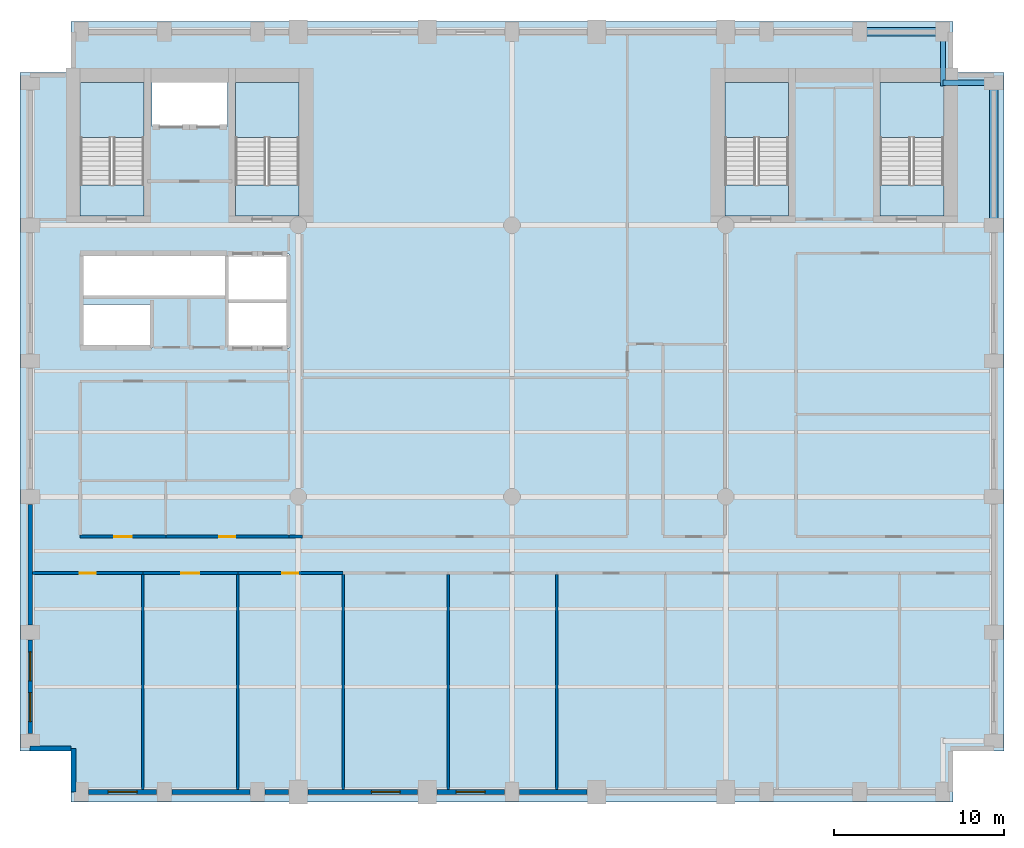
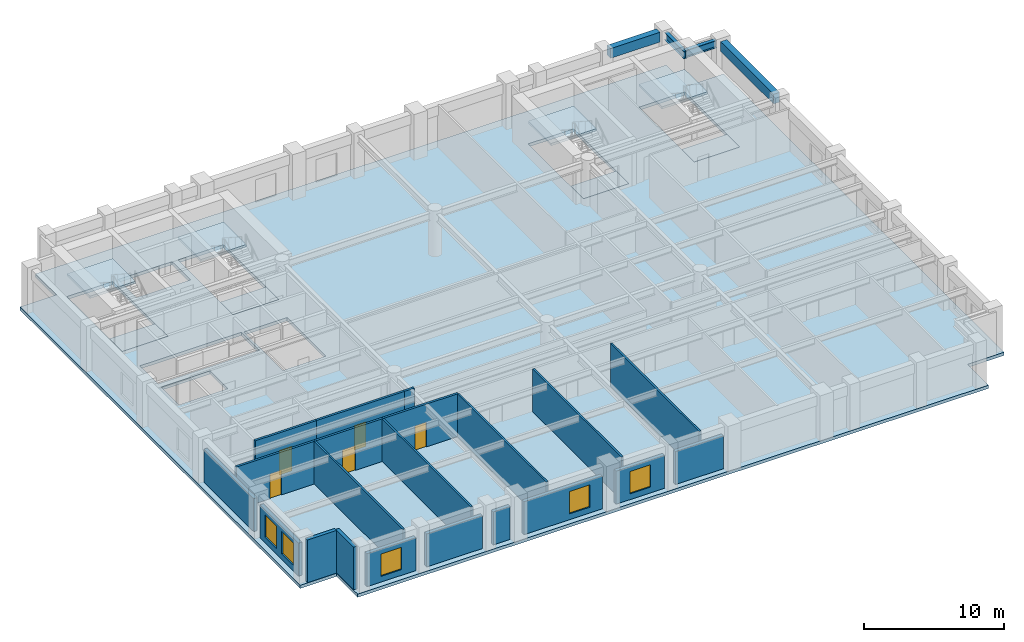
# One storey, part 2 of 8: 21 walls, 9 slabs, 5 doors, 5 windows, 4 beams, 10 openings, 4 elements without a shape of their own.
"""IFC4 building model written with IfcOpenShell, lengths in metres."""

import ifcopenshell
import ifcopenshell.guid

model = None  # the IFC model being written
_history = None  # IfcOwnerHistory: only IFC2X3 demands one
_inside = {}  # id of a spatial element -> (the spatial element, [elements in it])
_under = {}  # id of a project, library or spatial element -> (it, [spatial elements below it])
_declared = {}  # id of a project -> (the project, [libraries it declares])
_typed = {}  # id of a type object -> (the type object, [elements of that type])
_made_of = {}  # id of a material, layer set ... -> (it, [elements and type objects made of it])


def new_model(schema):
    """Start an empty IFC model of exactly this schema.

    Asked for "IFC4X3", IfcOpenShell would pick the latest addendum, in which some entities
    have other attributes; the version numbers below select the first issue.
    IFC2X3 requires an IfcOwnerHistory on every rooted entity: one is made here for all.
    """
    global model, _history
    if schema == "IFC4X3":
        model = ifcopenshell.file(schema_version=(4, 3, 0, 0))
    else:
        model = ifcopenshell.file(schema=schema)
    _inside.clear()
    _under.clear()
    _declared.clear()
    _typed.clear()
    _made_of.clear()
    _history = None
    if model.schema == "IFC2X3":
        org = make("IfcOrganization", Name="unknown")
        user = make(
            "IfcPersonAndOrganization",
            ThePerson=make("IfcPerson", FamilyName="unknown"),
            TheOrganization=org,
        )
        app = make(
            "IfcApplication",
            ApplicationDeveloper=org,
            Version="unknown",
            ApplicationFullName="unknown",
            ApplicationIdentifier="unknown",
        )
        _history = make(
            "IfcOwnerHistory",
            OwningUser=user,
            OwningApplication=app,
            ChangeAction="ADDED",
            CreationDate=0,
        )
    return model


def make(cls, **values):
    """One entity of the class cls with the attributes given. An attribute that is None is left unset."""
    return model.create_entity(
        cls, **{name: value for name, value in values.items() if value is not None}
    )


def rooted(cls, **values):
    """An entity with a GlobalId (a new one), such as an element, a storey or a relation."""
    return make(cls, GlobalId=ifcopenshell.guid.new(), OwnerHistory=_history, **values)


def si_unit(unit_type, name, prefix=None):
    """IfcSIUnit, for example si_unit("LENGTHUNIT", "METRE", prefix="MILLI")."""
    return make("IfcSIUnit", UnitType=unit_type, Prefix=prefix, Name=name)


def assignment(units):
    """IfcUnitAssignment: the units of a project."""
    return None if units is None else make("IfcUnitAssignment", Units=units)


def point(xyz):
    """IfcCartesianPoint."""
    return None if xyz is None else make("IfcCartesianPoint", Coordinates=xyz)


def direction(xyz):
    """IfcDirection."""
    return None if xyz is None else make("IfcDirection", DirectionRatios=xyz)


def frame(location, z_axis=None, x_axis=None):
    """IfcAxis2Placement3D, a coordinate frame: its origin and axes. An axis left out is left unset."""
    return make(
        "IfcAxis2Placement3D",
        Location=point(location),
        Axis=direction(z_axis),
        RefDirection=direction(x_axis),
    )


def frame_2d(location, x_axis=None):
    """IfcAxis2Placement2D, a coordinate frame in the plane: its origin and x axis."""
    return make(
        "IfcAxis2Placement2D", Location=point(location), RefDirection=direction(x_axis)
    )


def origin():
    """The frame at (0, 0, 0) with its axes left unset."""
    return frame((0.0, 0.0, 0.0))


def origin_2d():
    """The frame at (0, 0) in the plane with its x axis left unset."""
    return frame_2d((0.0, 0.0))


def place(relative_to, where):
    """IfcLocalPlacement: puts the frame where relative to a parent placement (None: the world)."""
    return make(
        "IfcLocalPlacement", PlacementRelTo=relative_to, RelativePlacement=where
    )


def context(
    kind, dimensions, precision=None, world=None, true_north=None, identifier=None
):
    """IfcGeometricRepresentationContext, for example the 3D "Model" context."""
    return make(
        "IfcGeometricRepresentationContext",
        ContextIdentifier=identifier,
        ContextType=kind,
        CoordinateSpaceDimension=dimensions,
        Precision=precision,
        WorldCoordinateSystem=world,
        TrueNorth=true_north,
    )


def subcontext(parent, identifier, kind, view, scale=None):
    """IfcGeometricRepresentationSubContext, for example "Body" below "Model"."""
    return make(
        "IfcGeometricRepresentationSubContext",
        ContextIdentifier=identifier,
        ContextType=kind,
        ParentContext=parent,
        TargetScale=scale,
        TargetView=view,
    )


def project(units=None, contexts=None):
    """IfcProject with its units and contexts."""
    return rooted(
        "IfcProject",
        Name="project",
        RepresentationContexts=contexts,
        UnitsInContext=assignment(units),
    )


def spatial(cls, under=None, at=None, **own):
    """A site, building, storey or space (cls), placed at a placement, below another one or the project."""
    s = rooted(cls, ObjectPlacement=at, **own)
    if under is not None:
        _under.setdefault(under.id(), (under, []))[1].append(s)
    return s


def polyline(points):
    """IfcPolyline through the points."""
    return make("IfcPolyline", Points=[point(p) for p in points])


def profile(cls, at=None, kind="AREA", **sizes):
    """A parametric profile (cls). Its sizes go by their IFC names, for example OverallWidth=200.0."""
    return make(cls, ProfileType=kind, Position=at, **sizes)


def rectangle(**sizes):
    """IfcRectangleProfileDef."""
    return profile("IfcRectangleProfileDef", **sizes)


def i_section(**sizes):
    """IfcIShapeProfileDef."""
    return profile("IfcIShapeProfileDef", **sizes)


def outline(outer, holes=None, kind="AREA"):
    """IfcArbitraryClosedProfileDef: a profile drawn as a closed curve; with holes, ...WithVoids."""
    if holes is None:
        return make("IfcArbitraryClosedProfileDef", ProfileType=kind, OuterCurve=outer)
    return make(
        "IfcArbitraryProfileDefWithVoids",
        ProfileType=kind,
        OuterCurve=outer,
        InnerCurves=holes,
    )


def extrude(swept, where, along, depth):
    """IfcExtrudedAreaSolid: the profile swept, set in the frame where, extruded along a direction by depth."""
    return make(
        "IfcExtrudedAreaSolid",
        SweptArea=swept,
        Position=where,
        ExtrudedDirection=direction(along),
        Depth=depth,
    )


def shape(context_of_items, identifier, shape_type, items):
    """IfcShapeRepresentation: the items that make up one representation, for example the "Body"."""
    return make(
        "IfcShapeRepresentation",
        ContextOfItems=context_of_items,
        RepresentationIdentifier=identifier,
        RepresentationType=shape_type,
        Items=items,
    )


def material(Name=None, Category=None):
    """IfcMaterial."""
    return make("IfcMaterial", Name=Name, Category=Category)


def layer(
    of_material, thickness, ventilated=None, Name=None, Category=None, Priority=None
):
    """IfcMaterialLayer: one layer of a wall or slab, of a material (None: an air gap)."""
    return make(
        "IfcMaterialLayer",
        Material=of_material,
        LayerThickness=thickness,
        IsVentilated=ventilated,
        Name=Name,
        Category=Category,
        Priority=Priority,
    )


def layer_set(layers, Name=None):
    """IfcMaterialLayerSet."""
    return make("IfcMaterialLayerSet", MaterialLayers=layers, LayerSetName=Name)


def material_profile(
    of_material, cross_section, Name=None, Category=None, Priority=None
):
    """IfcMaterialProfile: a cross section and its material."""
    return make(
        "IfcMaterialProfile",
        Name=Name,
        Material=of_material,
        Profile=cross_section,
        Priority=Priority,
        Category=Category,
    )


def profile_set(profiles, Name=None, composite=None):
    """IfcMaterialProfileSet."""
    return make(
        "IfcMaterialProfileSet",
        Name=Name,
        MaterialProfiles=profiles,
        CompositeProfile=composite,
    )


def made_of(thing, what):
    """Note that an element or type object is made of a material, layer set ...; save() writes the relation."""
    if what is not None:
        _made_of.setdefault(what.id(), (what, []))[1].append(thing)
    return thing


def type_object(cls, material=None, **own):
    """A type object (cls), such as IfcWallType, which elements share."""
    return made_of(rooted(cls, **own), material)


def element(
    cls,
    number,
    at=None,
    inside=None,
    cuts=None,
    type_object=None,
    material=None,
    context=None,
    identifier="Body",
    shape_type=None,
    held_by="IfcProductDefinitionShape",
    body=None,
    shapes=None,
    **own,
):
    """One element of the class cls, such as IfcWall. Its Tag is "e" and its number.

    at: its placement. inside: the storey or other place that contains it. cuts: it is an
    opening in that element (IfcRelVoidsElement). A single representation is given by context,
    identifier, shape_type and body (its items); several are given by shapes. held_by: the class
    of the entity that holds the representations. save() writes the other relations.
    """
    e = rooted(cls, Tag="e%d" % number, ObjectPlacement=at, **own)
    if body is not None:
        shapes = [shape(context, identifier, shape_type, body)]
    if shapes is not None:
        e.Representation = make(held_by, Representations=shapes)
    if inside is not None:
        _inside.setdefault(inside.id(), (inside, []))[1].append(e)
    if cuts is not None:
        rooted(
            "IfcRelVoidsElement", RelatingBuildingElement=cuts, RelatedOpeningElement=e
        )
    if type_object is not None:
        _typed.setdefault(type_object.id(), (type_object, []))[1].append(e)
    return made_of(e, material)


def fill(opening, filler):
    """IfcRelFillsElement: the door or window that sits in an opening."""
    return rooted(
        "IfcRelFillsElement",
        RelatingOpeningElement=opening,
        RelatedBuildingElement=filler,
    )


def aggregate(whole, parts):
    """IfcRelAggregates: a whole, such as a stair, and the parts it consists of."""
    return rooted("IfcRelAggregates", RelatingObject=whole, RelatedObjects=parts)


def save(model, path):
    """Write the relations noted so far, then the file.

    IfcRelAggregates (storeys below a building ...), IfcRelContainedInSpatialStructure (elements
    in a storey), IfcRelDefinesByType, IfcRelAssociatesMaterial and IfcRelDeclares: one each for
    every whole, place, type object, material and project.
    """
    for whole, parts in _under.values():
        aggregate(whole, parts)
    for where, things in _inside.values():
        rooted(
            "IfcRelContainedInSpatialStructure",
            RelatedElements=things,
            RelatingStructure=where,
        )
    for kind, things in _typed.values():
        rooted("IfcRelDefinesByType", RelatedObjects=things, RelatingType=kind)
    for what, things in _made_of.values():
        rooted("IfcRelAssociatesMaterial", RelatedObjects=things, RelatingMaterial=what)
    for by, libraries in _declared.values():
        rooted("IfcRelDeclares", RelatingContext=by, RelatedDefinitions=libraries)
    model.write(path)


model = new_model("IFC4")

# Units and contexts
model_context = context("Model", 3, precision=1e-05, world=origin(), true_north=direction((0.0, 1.0)))
body_context = subcontext(model_context, "Body", "Model", "MODEL_VIEW")
ifc_project = project(units=[si_unit("LENGTHUNIT", "METRE"), si_unit("AREAUNIT", "SQUARE_METRE"), si_unit("VOLUMEUNIT", "CUBIC_METRE"), si_unit("PLANEANGLEUNIT", "RADIAN"), si_unit("MASSUNIT", "GRAM", prefix="KILO")], contexts=[model_context])

# Site, building, storey
site_placement = place(None, origin())
site = spatial("IfcSite", under=ifc_project, at=site_placement, CompositionType="ELEMENT")
building_placement = place(site_placement, origin())
building = spatial("IfcBuilding", under=site, at=building_placement, Name="Sulina Concourse Tower", CompositionType="ELEMENT")
storey_placement = place(building_placement, frame((0.0, 0.0, 152.60009765625)))
storey = spatial("IfcBuildingStorey", under=building, at=storey_placement, Name="L37", CompositionType="ELEMENT", Elevation=152.60009765625)

# Beams
ifc_material_1 = material(Name="Steel S355", Category="steel")
ifc_material_profile_1 = material_profile(ifc_material_1, i_section(OverallWidth=0.300048828125, OverallDepth=0.64990234375, WebThickness=0.01611328125, FlangeThickness=0.031005859375, at=origin_2d()), Name="HE 650 B")
ifc_profile_set_1 = profile_set([ifc_material_profile_1], Name="Steel S355")
beam_type_1 = type_object("IfcBeamType", Name="Floor Primary Girder Zone 2 HE650B", PredefinedType="BEAM", material=ifc_profile_set_1)
beam_1_placement = place(storey_placement, frame((54.39990234375, 42.39990234375, 3.39990234375), z_axis=(1.0, 0.0, 0.0), x_axis=(0.0, 1.0, 0.0)))
element("IfcBeam", 1, at=beam_1_placement, inside=storey, type_object=beam_type_1, Name="TIE-NE-L37", PredefinedType="BEAM", context=body_context, shape_type="SweptSolid", body=[
    extrude(i_section(OverallWidth=0.300048828125, OverallDepth=0.64990234375, WebThickness=0.01611328125, FlangeThickness=0.031005859375, at=origin_2d()), origin(), (0.0, 0.0, 1.0), 2.59521484375),
])
beam_2_placement = place(storey_placement, frame((54.39990234375, 42.199951171875, 3.39990234375), z_axis=(0.0, 1.0, 0.0), x_axis=(-1.0, 0.0, 0.0)))
element("IfcBeam", 2, at=beam_2_placement, inside=storey, type_object=beam_type_1, Name="TIE-NEN-L37", PredefinedType="BEAM", context=body_context, shape_type="SweptSolid", body=[
    extrude(i_section(OverallWidth=0.300048828125, OverallDepth=0.64990234375, WebThickness=0.01611328125, FlangeThickness=0.031005859375, at=origin_2d()), origin(), (0.0, 0.0, 1.0), 2.795166015625),
])
ifc_material_2 = material(Name="Precast concrete C50/60", Category="concrete")
ifc_material_profile_2 = material_profile(ifc_material_2, rectangle(XDim=0.5, YDim=0.85009765625, at=origin_2d()), Name="RC 500x850")
ifc_profile_set_2 = profile_set([ifc_material_profile_2], Name="Precast concrete C50/60")
beam_type_2 = type_object("IfcBeamType", Name="Lower Precast Spandrel Edge Beam 500x850", PredefinedType="BEAM", material=ifc_profile_set_2)
beam_3_placement = place(storey_placement, frame((49.905029296875, 45.39990234375, 3.2998046875), z_axis=(1.0, 0.0, 0.0), x_axis=(0.0, 1.0, 0.0)))
element("IfcBeam", 3, at=beam_3_placement, inside=storey, type_object=beam_type_2, Name="SP-N10-L37", PredefinedType="BEAM", context=body_context, shape_type="SweptSolid", body=[
    extrude(rectangle(XDim=0.5, YDim=0.85009765625, at=origin_2d()), origin(), (0.0, 0.0, 1.0), 4.090087890625),
])
beam_4_placement = place(storey_placement, frame((57.39990234375, 34.405029296875, 3.2998046875), z_axis=(0.0, 1.0, 0.0), x_axis=(-1.0, 0.0, 0.0)))
element("IfcBeam", 4, at=beam_4_placement, inside=storey, type_object=beam_type_2, Name="SP-E5-L37", PredefinedType="BEAM", context=body_context, shape_type="SweptSolid", body=[
    extrude(rectangle(XDim=0.5, YDim=0.85009765625, at=origin_2d()), origin(), (0.0, 0.0, 1.0), 7.590087890625),
])

# Slabs
ifc_material_3 = material(Name="Concrete C50/60", Category="concrete")
ifc_layer_1 = layer(ifc_material_3, 0.27490234375)
ifc_layer_set_1 = layer_set([ifc_layer_1], Name="Concrete C50/60")
slab_type_1 = type_object("IfcSlabType", Name="Mid-Rise Composite Floor Slab 275mm", PredefinedType="FLOOR", material=ifc_layer_set_1)
slab_1_placement = place(storey_placement, frame((0.0, 0.0, -0.275146484375)))
element("IfcSlab", 5, at=slab_1_placement, inside=storey, type_object=slab_type_1, Name="L37 structural floor slab", PredefinedType="FLOOR", context=body_context, shape_type="SweptSolid", body=[
    extrude(outline(polyline([(3.0, 0.0), (55.0, 0.0), (55.0, 3.0), (58.0, 3.0), (58.0, 43.0), (55.0, 43.0), (55.0, 46.0), (3.0, 46.0), (3.0, 43.0), (0.0, 43.0), (0.0, 3.0), (3.0, 3.0), (3.0, 0.0)]), holes=[polyline([(7.31005859375, 34.550048828125), (7.31005859375, 42.429931640625), (3.550048828125, 42.429931640625), (3.550048828125, 34.550048828125), (7.31005859375, 34.550048828125)]), polyline([(16.449951171875, 34.550048828125), (16.449951171875, 42.429931640625), (12.68994140625, 42.429931640625), (12.68994140625, 34.550048828125), (16.449951171875, 34.550048828125)]), polyline([(45.31005859375, 34.550048828125), (45.31005859375, 42.429931640625), (41.550048828125, 42.429931640625), (41.550048828125, 34.550048828125), (45.31005859375, 34.550048828125)]), polyline([(54.449951171875, 34.550048828125), (54.449951171875, 42.429931640625), (50.68994140625, 42.429931640625), (50.68994140625, 34.550048828125), (54.449951171875, 34.550048828125)]), polyline([(7.780029296875, 39.830078125), (12.219970703125, 39.830078125), (12.219970703125, 42.449951171875), (7.780029296875, 42.449951171875), (7.780029296875, 39.830078125)]), polyline([(3.739990234375, 26.780029296875), (7.77001953125, 26.780029296875), (7.77001953125, 29.320068359375), (3.739990234375, 29.320068359375), (3.739990234375, 26.780029296875)]), polyline([(3.739990234375, 29.780029296875), (12.10009765625, 29.780029296875), (12.10009765625, 32.3701171875), (3.739990234375, 32.3701171875), (3.739990234375, 29.780029296875)]), polyline([(12.280029296875, 26.780029296875), (15.85009765625, 26.780029296875), (15.85009765625, 32.320068359375), (12.280029296875, 32.320068359375), (12.280029296875, 26.780029296875)])]), origin(), (0.0, 0.0, 1.0), 0.275146484375),
])
ifc_material_4 = material(Name="Concrete C50/60", Category="concrete")
ifc_layer_2 = layer(ifc_material_4, 0.199951171875)
ifc_layer_set_2 = layer_set([ifc_layer_2], Name="Concrete C50/60")
slab_type_2 = type_object("IfcSlabType", Name="Primary Core Stair Landing Slab 200mm", PredefinedType="LANDING", material=ifc_layer_set_2)
slab_2_placement = place(storey_placement, frame((0.0, 0.0, -0.2001953125)))
element("IfcSlab", 6, at=slab_2_placement, inside=storey, type_object=slab_type_2, Name="L37 ST-1 floor landing slab", PredefinedType="LANDING", context=body_context, shape_type="SweptSolid", body=[
    extrude(outline(polyline([(7.31005859375, 34.550048828125), (7.31005859375, 36.375), (3.550048828125, 36.375), (3.550048828125, 34.550048828125), (7.31005859375, 34.550048828125)])), origin(), (0.0, 0.0, 1.0), 0.2001953125),
])
slab_3_placement = place(storey_placement, frame((0.0, 0.0, -0.2001953125)))
element("IfcSlab", 7, at=slab_3_placement, inside=storey, type_object=slab_type_2, Name="L37 ST-2 floor landing slab", PredefinedType="LANDING", context=body_context, shape_type="SweptSolid", body=[
    extrude(outline(polyline([(16.449951171875, 34.550048828125), (16.449951171875, 36.375), (12.68994140625, 36.375), (12.68994140625, 34.550048828125), (16.449951171875, 34.550048828125)])), origin(), (0.0, 0.0, 1.0), 0.2001953125),
])
slab_4_placement = place(storey_placement, frame((0.0, 0.0, -0.2001953125)))
element("IfcSlab", 8, at=slab_4_placement, inside=storey, type_object=slab_type_2, Name="L37 ST-3 floor landing slab", PredefinedType="LANDING", context=body_context, shape_type="SweptSolid", body=[
    extrude(outline(polyline([(45.31005859375, 34.550048828125), (45.31005859375, 36.375), (41.550048828125, 36.375), (41.550048828125, 34.550048828125), (45.31005859375, 34.550048828125)])), origin(), (0.0, 0.0, 1.0), 0.2001953125),
])
slab_5_placement = place(storey_placement, frame((0.0, 0.0, -0.2001953125)))
element("IfcSlab", 9, at=slab_5_placement, inside=storey, type_object=slab_type_2, Name="L37 ST-4 floor landing slab", PredefinedType="LANDING", context=body_context, shape_type="SweptSolid", body=[
    extrude(outline(polyline([(54.449951171875, 34.550048828125), (54.449951171875, 36.375), (50.68994140625, 36.375), (50.68994140625, 34.550048828125), (54.449951171875, 34.550048828125)])), origin(), (0.0, 0.0, 1.0), 0.2001953125),
])

# Stair, slab
ifc_material_5 = material(Name="Concrete C50/60", Category="concrete")
stair_type_1 = type_object("IfcStairType", Name="Primary Core Dog-Leg Exit Stair 1800mm", PredefinedType="HALF_TURN_STAIR", material=ifc_material_5)
stair_1_placement = place(storey_placement, origin())
stair_1 = element("IfcStair", 10, at=stair_1_placement, inside=storey, type_object=stair_type_1, Name="L37 ST-1", PredefinedType="HALF_TURN_STAIR")
slab_6_placement = place(storey_placement, frame((0.0, 0.0, 1.7998046875)))
slab_6 = element("IfcSlab", 11, at=slab_6_placement, type_object=slab_type_2, Name="ST-1 landing 1", PredefinedType="LANDING", context=body_context, shape_type="SweptSolid", body=[
    extrude(outline(polyline([(7.304931640625, 39.175048828125), (7.304931640625, 42.425048828125), (3.554931640625, 42.425048828125), (3.554931640625, 39.175048828125), (7.304931640625, 39.175048828125)])), origin(), (0.0, 0.0, 1.0), 0.2001953125),
])
aggregate(stair_1, [slab_6])

stair_2_placement = place(storey_placement, origin())
stair_2 = element("IfcStair", 12, at=stair_2_placement, inside=storey, type_object=stair_type_1, Name="L37 ST-2", PredefinedType="HALF_TURN_STAIR")
slab_7_placement = place(storey_placement, frame((0.0, 0.0, 1.7998046875)))
slab_7 = element("IfcSlab", 13, at=slab_7_placement, type_object=slab_type_2, Name="ST-2 landing 1", PredefinedType="LANDING", context=body_context, shape_type="SweptSolid", body=[
    extrude(outline(polyline([(16.445068359375, 39.175048828125), (16.445068359375, 42.425048828125), (12.695068359375, 42.425048828125), (12.695068359375, 39.175048828125), (16.445068359375, 39.175048828125)])), origin(), (0.0, 0.0, 1.0), 0.2001953125),
])
aggregate(stair_2, [slab_7])

ifc_material_6 = material(Name="Concrete C50/60", Category="concrete")
stair_type_2 = type_object("IfcStairType", Name="Portal & Podium Core Exit Stair 1820mm", PredefinedType="HALF_TURN_STAIR", material=ifc_material_6)
stair_3_placement = place(storey_placement, origin())
stair_3 = element("IfcStair", 14, at=stair_3_placement, inside=storey, type_object=stair_type_2, Name="L37 ST-3", PredefinedType="HALF_TURN_STAIR")
slab_8_placement = place(storey_placement, frame((0.0, 0.0, 1.7998046875)))
slab_8 = element("IfcSlab", 15, at=slab_8_placement, type_object=slab_type_2, Name="ST-3 landing 1", PredefinedType="LANDING", context=body_context, shape_type="SweptSolid", body=[
    extrude(outline(polyline([(45.304931640625, 39.175048828125), (45.304931640625, 42.425048828125), (41.554931640625, 42.425048828125), (41.554931640625, 39.175048828125), (45.304931640625, 39.175048828125)])), origin(), (0.0, 0.0, 1.0), 0.2001953125),
])
aggregate(stair_3, [slab_8])

stair_4_placement = place(storey_placement, origin())
stair_4 = element("IfcStair", 16, at=stair_4_placement, inside=storey, type_object=stair_type_2, Name="L37 ST-4", PredefinedType="HALF_TURN_STAIR")
slab_9_placement = place(storey_placement, frame((0.0, 0.0, 1.7998046875)))
slab_9 = element("IfcSlab", 17, at=slab_9_placement, type_object=slab_type_2, Name="ST-4 landing 1", PredefinedType="LANDING", context=body_context, shape_type="SweptSolid", body=[
    extrude(outline(polyline([(54.445068359375, 39.175048828125), (54.445068359375, 42.425048828125), (50.695068359375, 42.425048828125), (50.695068359375, 39.175048828125), (54.445068359375, 39.175048828125)])), origin(), (0.0, 0.0, 1.0), 0.2001953125),
])
aggregate(stair_4, [slab_9])

# Walls
ifc_material_7 = material(Name="Gypsum board on steel stud", Category="steel")
ifc_layer_3 = layer(ifc_material_7, 0.14990234375)
ifc_layer_set_3 = layer_set([ifc_layer_3], Name="Gypsum board on steel stud")
wall_type_1 = type_object("IfcWallType", Name="Inter-Tenancy Acoustic Partition 150mm", PredefinedType="PARTITIONING", material=ifc_layer_set_3)
for number, where, z_axis, x_axis, name in (
    (18, (7.239990234375, 0.739990234375, 0.0), (0.0, 0.0, 1.0), (0.0, 1.0, 0.0), "L37 interior partition 034"),
    (19, (12.840087890625, 0.739990234375, 0.0), (0.0, 0.0, 1.0), (0.0, 1.0, 0.0), "L37 interior partition 038"),
    (20, (19.0400390625, 0.739990234375, 0.0), (0.0, 0.0, 1.0), (0.0, 1.0, 0.0), "L37 interior partition 046"),
    (21, (25.239990234375, 0.739990234375, 0.0), (0.0, 0.0, 1.0), (0.0, 1.0, 0.0), "L37 interior partition 047"),
    (22, (31.639892578125, 0.739990234375, 0.0), (0.0, 0.0, 1.0), (0.0, 1.0, 0.0), "L37 interior partition 048"),
):
    element("IfcWall", number, at=place(storey_placement, frame(where, z_axis=z_axis, x_axis=x_axis)), inside=storey, type_object=wall_type_1, Name=name, PredefinedType="PARTITIONING", context=body_context, shape_type="SweptSolid", body=[
        extrude(rectangle(XDim=12.669921875, YDim=0.14990234375, at=frame_2d((6.3349609375, 0.0))), origin(), (0.0, 0.0, 1.0), 3.724853515625),
    ])

# Wall, opening, door
ifc_material_8 = material(Name="Gypsum board on steel stud", Category="steel")
ifc_layer_4 = layer(ifc_material_8, 0.179931640625)
ifc_layer_set_4 = layer_set([ifc_layer_4], Name="Gypsum board on steel stud")
wall_type_2 = type_object("IfcWallType", Name="Protected Corridor & Riser Partition 180mm", PredefinedType="PARTITIONING", material=ifc_layer_set_4)
wall_1_placement = place(storey_placement, frame((0.739990234375, 13.5, 0.0), z_axis=(0.0, 0.0, 1.0), x_axis=(1.0, 0.0, 0.0)))
wall_1 = element("IfcWall", 23, at=wall_1_placement, inside=storey, type_object=wall_type_2, Name="L37 interior partition 001", PredefinedType="PARTITIONING", context=body_context, shape_type="SweptSolid", body=[
    extrude(rectangle(XDim=6.5, YDim=0.179931640625, at=frame_2d((3.25, 0.0))), origin(), (0.0, 0.0, 1.0), 3.724853515625),
])
opening_1_placement = place(wall_1_placement, frame((2.77490234375, 0.0, 0.0)))
opening_1 = element("IfcOpeningElement", 24, at=opening_1_placement, cuts=wall_1, Name="Opening DR-19", PredefinedType="OPENING", context=body_context, shape_type="SweptSolid", body=[
    extrude(rectangle(XDim=0.949951171875, YDim=2.14990234375, at=frame_2d((0.47509765625, 1.074951171875))), frame((0.0, 0.099853515625, 0.0), z_axis=(0.0, -1.0, 0.0), x_axis=(1.0, 0.0, 0.0)), (0.0, 0.0, 1.0), 0.199951171875),
])
ifc_material_9 = material(Name="Oak-veneered acoustic timber leaf", Category="wood")
ifc_layer_5 = layer(ifc_material_9, 0.050048828125)
ifc_layer_set_5 = layer_set([ifc_layer_5], Name="Oak-veneered acoustic timber leaf")
door_type_1 = type_object("IfcDoorType", Name="Cellular Office & Meeting Door 950x2150", OperationType="NOTDEFINED", PredefinedType="DOOR", material=ifc_layer_set_5)
door_1_placement = place(opening_1_placement, origin())
door_1 = element("IfcDoor", 25, at=door_1_placement, inside=storey, type_object=door_type_1, Name="L37 interior door L37-S01", OperationType="SINGLE_SWING_RIGHT", OverallHeight=2.14990234375, OverallWidth=0.949951171875, PredefinedType="DOOR", context=body_context, shape_type="SweptSolid", body=[
    extrude(rectangle(XDim=0.949951171875, YDim=2.14990234375, at=frame_2d((0.47509765625, 1.074951171875))), frame((0.0, 0.02490234375, 0.0), z_axis=(0.0, -1.0, 0.0), x_axis=(1.0, 0.0, 0.0)), (0.0, 0.0, 1.0), 0.050048828125),
])
fill(opening_1, door_1)

wall_2_placement = place(storey_placement, frame((7.239990234375, 13.5, 0.0), z_axis=(0.0, 0.0, 1.0), x_axis=(1.0, 0.0, 0.0)))
wall_2 = element("IfcWall", 26, at=wall_2_placement, inside=storey, type_object=wall_type_2, Name="L37 interior partition 002", PredefinedType="PARTITIONING", context=body_context, shape_type="SweptSolid", body=[
    extrude(rectangle(XDim=5.60009765625, YDim=0.179931640625, at=frame_2d((2.800048828125, 0.0))), origin(), (0.0, 0.0, 1.0), 3.724853515625),
])
opening_2_placement = place(wall_2_placement, frame((2.27490234375, 0.0, 0.0)))
opening_2 = element("IfcOpeningElement", 27, at=opening_2_placement, cuts=wall_2, Name="Opening DR-37", PredefinedType="OPENING", context=body_context, shape_type="SweptSolid", body=[
    extrude(rectangle(XDim=1.050048828125, YDim=2.14990234375, at=frame_2d((0.52490234375, 1.074951171875))), frame((0.0, 0.099853515625, 0.0), z_axis=(0.0, -1.0, 0.0), x_axis=(1.0, 0.0, 0.0)), (0.0, 0.0, 1.0), 0.199951171875),
])
ifc_material_10 = material(Name="Oak-veneered fire door leaf")
ifc_layer_6 = layer(ifc_material_10, 0.050048828125)
ifc_layer_set_6 = layer_set([ifc_layer_6], Name="Oak-veneered fire door leaf")
door_type_2 = type_object("IfcDoorType", Name="Tenant Suite Entrance Fire Door 1050x2150", OperationType="NOTDEFINED", PredefinedType="DOOR", material=ifc_layer_set_6)
door_2_placement = place(opening_2_placement, origin())
door_2 = element("IfcDoor", 28, at=door_2_placement, inside=storey, type_object=door_type_2, Name="L37 interior door L37-S02", OperationType="SINGLE_SWING_LEFT", OverallHeight=2.14990234375, OverallWidth=1.050048828125, PredefinedType="DOOR", context=body_context, shape_type="SweptSolid", body=[
    extrude(rectangle(XDim=1.050048828125, YDim=2.14990234375, at=frame_2d((0.52490234375, 1.074951171875))), frame((0.0, 0.02490234375, 0.0), z_axis=(0.0, -1.0, 0.0), x_axis=(1.0, 0.0, 0.0)), (0.0, 0.0, 1.0), 0.050048828125),
])
fill(opening_2, door_2)

wall_3_placement = place(storey_placement, frame((12.840087890625, 13.5, 0.0), z_axis=(0.0, 0.0, 1.0), x_axis=(1.0, 0.0, 0.0)))
wall_3 = element("IfcWall", 29, at=wall_3_placement, inside=storey, type_object=wall_type_2, Name="L37 interior partition 003", PredefinedType="PARTITIONING", context=body_context, shape_type="SweptSolid", body=[
    extrude(rectangle(XDim=6.199951171875, YDim=0.179931640625, at=frame_2d((3.10009765625, 0.0))), origin(), (0.0, 0.0, 1.0), 3.724853515625),
])
opening_3_placement = place(wall_3_placement, frame((2.625, 0.0, 0.0)))
opening_3 = element("IfcOpeningElement", 30, at=opening_3_placement, cuts=wall_3, Name="Opening DR-19", PredefinedType="OPENING", context=body_context, shape_type="SweptSolid", body=[
    extrude(rectangle(XDim=0.949951171875, YDim=2.14990234375, at=frame_2d((0.47509765625, 1.074951171875))), frame((0.0, 0.099853515625, 0.0), z_axis=(0.0, -1.0, 0.0), x_axis=(1.0, 0.0, 0.0)), (0.0, 0.0, 1.0), 0.199951171875),
])
door_3_placement = place(opening_3_placement, origin())
door_3 = element("IfcDoor", 31, at=door_3_placement, inside=storey, type_object=door_type_1, Name="L37 interior door L37-S03", OperationType="SINGLE_SWING_RIGHT", OverallHeight=2.14990234375, OverallWidth=0.949951171875, PredefinedType="DOOR", context=body_context, shape_type="SweptSolid", body=[
    extrude(rectangle(XDim=0.949951171875, YDim=2.14990234375, at=frame_2d((0.47509765625, 1.074951171875))), frame((0.0, 0.02490234375, 0.0), z_axis=(0.0, -1.0, 0.0), x_axis=(1.0, 0.0, 0.0)), (0.0, 0.0, 1.0), 0.050048828125),
])
fill(opening_3, door_3)

wall_4_placement = place(storey_placement, frame((3.550048828125, 15.64990234375, 0.0), z_axis=(0.0, 0.0, 1.0), x_axis=(1.0, 0.0, 0.0)))
wall_4 = element("IfcWall", 32, at=wall_4_placement, inside=storey, type_object=wall_type_2, Name="L37 interior partition 010", PredefinedType="PARTITIONING", context=body_context, shape_type="SweptSolid", body=[
    extrude(rectangle(XDim=5.050048828125, YDim=0.179931640625, at=frame_2d((2.52490234375, 0.0))), origin(), (0.0, 0.0, 1.0), 3.724853515625),
])
opening_4_placement = place(wall_4_placement, frame((2.0, 0.0, 0.0)))
opening_4 = element("IfcOpeningElement", 33, at=opening_4_placement, cuts=wall_4, Name="Opening DR-37", PredefinedType="OPENING", context=body_context, shape_type="SweptSolid", body=[
    extrude(rectangle(XDim=1.050048828125, YDim=2.14990234375, at=frame_2d((0.52490234375, 1.074951171875))), frame((0.0, 0.099853515625, 0.0), z_axis=(0.0, -1.0, 0.0), x_axis=(1.0, 0.0, 0.0)), (0.0, 0.0, 1.0), 0.199951171875),
])
door_4_placement = place(opening_4_placement, origin())
door_4 = element("IfcDoor", 34, at=door_4_placement, inside=storey, type_object=door_type_2, Name="L37 interior door L37-WSB-1", OperationType="SINGLE_SWING_LEFT", OverallHeight=2.14990234375, OverallWidth=1.050048828125, PredefinedType="DOOR", context=body_context, shape_type="SweptSolid", body=[
    extrude(rectangle(XDim=1.050048828125, YDim=2.14990234375, at=frame_2d((0.52490234375, 1.074951171875))), frame((0.0, 0.02490234375, 0.0), z_axis=(0.0, -1.0, 0.0), x_axis=(1.0, 0.0, 0.0)), (0.0, 0.0, 1.0), 0.050048828125),
])
fill(opening_4, door_4)

wall_5_placement = place(storey_placement, frame((8.60009765625, 15.64990234375, 0.0), z_axis=(0.0, 0.0, 1.0), x_axis=(1.0, 0.0, 0.0)))
wall_5 = element("IfcWall", 35, at=wall_5_placement, inside=storey, type_object=wall_type_2, Name="L37 interior partition 011", PredefinedType="PARTITIONING", context=body_context, shape_type="SweptSolid", body=[
    extrude(rectangle(XDim=7.25, YDim=0.179931640625, at=frame_2d((3.625, 0.0))), origin(), (0.0, 0.0, 1.0), 3.724853515625),
])
opening_5_placement = place(wall_5_placement, frame((3.14990234375, 0.0, 0.0)))
opening_5 = element("IfcOpeningElement", 36, at=opening_5_placement, cuts=wall_5, Name="Opening DR-19", PredefinedType="OPENING", context=body_context, shape_type="SweptSolid", body=[
    extrude(rectangle(XDim=0.949951171875, YDim=2.14990234375, at=frame_2d((0.47509765625, 1.074951171875))), frame((0.0, 0.099853515625, 0.0), z_axis=(0.0, -1.0, 0.0), x_axis=(1.0, 0.0, 0.0)), (0.0, 0.0, 1.0), 0.199951171875),
])
door_5_placement = place(opening_5_placement, origin())
door_5 = element("IfcDoor", 37, at=door_5_placement, inside=storey, type_object=door_type_1, Name="L37 interior door L37-WSB-2", OperationType="SINGLE_SWING_RIGHT", OverallHeight=2.14990234375, OverallWidth=0.949951171875, PredefinedType="DOOR", context=body_context, shape_type="SweptSolid", body=[
    extrude(rectangle(XDim=0.949951171875, YDim=2.14990234375, at=frame_2d((0.47509765625, 1.074951171875))), frame((0.0, 0.02490234375, 0.0), z_axis=(0.0, -1.0, 0.0), x_axis=(1.0, 0.0, 0.0)), (0.0, 0.0, 1.0), 0.050048828125),
])
fill(opening_5, door_5)

# Wall
wall_6_placement = place(storey_placement, frame((15.85009765625, 15.64990234375, 0.0), z_axis=(0.0, 0.0, 1.0), x_axis=(1.0, 0.0, 0.0)))
element("IfcWall", 38, at=wall_6_placement, inside=storey, type_object=wall_type_2, Name="L37 interior partition 012", PredefinedType="PARTITIONING", context=body_context, shape_type="SweptSolid", body=[
    extrude(rectangle(XDim=0.7998046875, YDim=0.179931640625, at=frame_2d((0.39990234375, 0.0))), origin(), (0.0, 0.0, 1.0), 3.724853515625),
])

# Wall, opening, window
ifc_material_11 = material(Name="Precast concrete C50/60", Category="concrete")
ifc_layer_7 = layer(ifc_material_11, 0.280029296875)
ifc_layer_set_7 = layer_set([ifc_layer_7], Name="Precast concrete C50/60")
wall_type_3 = type_object("IfcWallType", Name="Typical Precast Masonry-Frame Facade Wall 280mm", PredefinedType="SOLIDWALL", material=ifc_layer_set_7)
wall_7_placement = place(storey_placement, frame((8.054931640625, 0.60009765625, 0.0), z_axis=(0.0, 0.0, 1.0), x_axis=(-1.0, 0.0, 0.0)))
wall_7 = element("IfcWall", 39, at=wall_7_placement, inside=storey, type_object=wall_type_3, Name="L37 exterior precast wall S1", PredefinedType="SOLIDWALL", context=body_context, shape_type="SweptSolid", body=[
    extrude(rectangle(XDim=4.010009765625, YDim=0.280029296875, at=frame_2d((2.0048828125, 0.0))), origin(), (0.0, 0.0, 1.0), 2.875),
])
opening_6_placement = place(wall_7_placement, frame((1.155029296875, 0.0, 0.5)))
opening_6 = element("IfcOpeningElement", 40, at=opening_6_placement, cuts=wall_7, Name="Opening WN-66", PredefinedType="OPENING", context=body_context, shape_type="SweptSolid", body=[
    extrude(rectangle(XDim=1.699951171875, YDim=1.949951171875, at=frame_2d((0.85009765625, 0.97509765625))), frame((0.0, 0.14990234375, 0.0), z_axis=(0.0, -1.0, 0.0), x_axis=(1.0, 0.0, 0.0)), (0.0, 0.0, 1.0), 0.300048828125),
])
ifc_material_12 = material(Name="Low-E solar double glazing in bronze aluminium", Category="aluminium")
window_type = type_object("IfcWindowType", Name="Recessed Spandrel Window 1700x1950", PartitioningType="SINGLE_PANEL", PredefinedType="WINDOW", material=ifc_material_12)
window_1_placement = place(opening_6_placement, origin())
window_1 = element("IfcWindow", 41, at=window_1_placement, inside=storey, type_object=window_type, Name="L37 punched window S1-1", OverallHeight=1.949951171875, OverallWidth=1.699951171875, PartitioningType="SINGLE_PANEL", PredefinedType="WINDOW", context=body_context, shape_type="SweptSolid", body=[
    extrude(rectangle(XDim=1.699951171875, YDim=1.949951171875, at=frame_2d((0.85009765625, 0.97509765625))), frame((0.0, 0.030029296875, 0.0), z_axis=(0.0, -1.0, 0.0), x_axis=(1.0, 0.0, 0.0)), (0.0, 0.0, 1.0), 0.06005859375),
])
fill(opening_6, window_1)

# Walls
wall_8_placement = place(storey_placement, frame((13.554931640625, 0.60009765625, 0.0), z_axis=(0.0, 0.0, 1.0), x_axis=(-1.0, 0.0, 0.0)))
element("IfcWall", 42, at=wall_8_placement, inside=storey, type_object=wall_type_3, Name="L37 exterior precast wall S2", PredefinedType="SOLIDWALL", context=body_context, shape_type="SweptSolid", body=[
    extrude(rectangle(XDim=4.60986328125, YDim=0.280029296875, at=frame_2d((2.304931640625, 0.0))), origin(), (0.0, 0.0, 1.0), 2.875),
])
wall_9_placement = place(storey_placement, frame((15.830078125, 0.60009765625, 0.0), z_axis=(0.0, 0.0, 1.0), x_axis=(-1.0, 0.0, 0.0)))
element("IfcWall", 43, at=wall_9_placement, inside=storey, type_object=wall_type_3, Name="L37 exterior precast wall S3", PredefinedType="SOLIDWALL", context=body_context, shape_type="SweptSolid", body=[
    extrude(rectangle(XDim=1.385009765625, YDim=0.280029296875, at=frame_2d((0.6923828125, 0.0))), origin(), (0.0, 0.0, 1.0), 2.875),
])

# Wall, opening, window
wall_10_placement = place(storey_placement, frame((23.429931640625, 0.60009765625, 0.0), z_axis=(0.0, 0.0, 1.0), x_axis=(-1.0, 0.0, 0.0)))
wall_10 = element("IfcWall", 44, at=wall_10_placement, inside=storey, type_object=wall_type_3, Name="L37 exterior precast wall S4", PredefinedType="SOLIDWALL", context=body_context, shape_type="SweptSolid", body=[
    extrude(rectangle(XDim=6.4599609375, YDim=0.280029296875, at=frame_2d((3.22998046875, 0.0))), origin(), (0.0, 0.0, 1.0), 2.875),
])
opening_7_placement = place(wall_10_placement, frame((1.02001953125, 0.0, 0.5)))
opening_7 = element("IfcOpeningElement", 45, at=opening_7_placement, cuts=wall_10, Name="Opening WN-66", PredefinedType="OPENING", context=body_context, shape_type="SweptSolid", body=[
    extrude(rectangle(XDim=1.699951171875, YDim=1.949951171875, at=frame_2d((0.85009765625, 0.97509765625))), frame((0.0, 0.14990234375, 0.0), z_axis=(0.0, -1.0, 0.0), x_axis=(1.0, 0.0, 0.0)), (0.0, 0.0, 1.0), 0.300048828125),
])
window_2_placement = place(opening_7_placement, origin())
window_2 = element("IfcWindow", 46, at=window_2_placement, inside=storey, type_object=window_type, Name="L37 punched window S4-1", OverallHeight=1.949951171875, OverallWidth=1.699951171875, PartitioningType="SINGLE_PANEL", PredefinedType="WINDOW", context=body_context, shape_type="SweptSolid", body=[
    extrude(rectangle(XDim=1.699951171875, YDim=1.949951171875, at=frame_2d((0.85009765625, 0.97509765625))), frame((0.0, 0.030029296875, 0.0), z_axis=(0.0, -1.0, 0.0), x_axis=(1.0, 0.0, 0.0)), (0.0, 0.0, 1.0), 0.06005859375),
])
fill(opening_7, window_2)

wall_11_placement = place(storey_placement, frame((28.554931640625, 0.60009765625, 0.0), z_axis=(0.0, 0.0, 1.0), x_axis=(-1.0, 0.0, 0.0)))
wall_11 = element("IfcWall", 47, at=wall_11_placement, inside=storey, type_object=wall_type_3, Name="L37 exterior precast wall S5", PredefinedType="SOLIDWALL", context=body_context, shape_type="SweptSolid", body=[
    extrude(rectangle(XDim=3.98486328125, YDim=0.280029296875, at=frame_2d((1.992431640625, 0.0))), origin(), (0.0, 0.0, 1.0), 2.875),
])
opening_8_placement = place(wall_11_placement, frame((1.142578125, 0.0, 0.5)))
opening_8 = element("IfcOpeningElement", 48, at=opening_8_placement, cuts=wall_11, Name="Opening WN-66", PredefinedType="OPENING", context=body_context, shape_type="SweptSolid", body=[
    extrude(rectangle(XDim=1.699951171875, YDim=1.949951171875, at=frame_2d((0.85009765625, 0.97509765625))), frame((0.0, 0.14990234375, 0.0), z_axis=(0.0, -1.0, 0.0), x_axis=(1.0, 0.0, 0.0)), (0.0, 0.0, 1.0), 0.300048828125),
])
window_3_placement = place(opening_8_placement, origin())
window_3 = element("IfcWindow", 49, at=window_3_placement, inside=storey, type_object=window_type, Name="L37 punched window S5-1", OverallHeight=1.949951171875, OverallWidth=1.699951171875, PartitioningType="SINGLE_PANEL", PredefinedType="WINDOW", context=body_context, shape_type="SweptSolid", body=[
    extrude(rectangle(XDim=1.699951171875, YDim=1.949951171875, at=frame_2d((0.85009765625, 0.97509765625))), frame((0.0, 0.030029296875, 0.0), z_axis=(0.0, -1.0, 0.0), x_axis=(1.0, 0.0, 0.0)), (0.0, 0.0, 1.0), 0.06005859375),
])
fill(opening_8, window_3)

# Wall
wall_12_placement = place(storey_placement, frame((33.429931640625, 0.60009765625, 0.0), z_axis=(0.0, 0.0, 1.0), x_axis=(-1.0, 0.0, 0.0)))
element("IfcWall", 50, at=wall_12_placement, inside=storey, type_object=wall_type_3, Name="L37 exterior precast wall S6", PredefinedType="SOLIDWALL", context=body_context, shape_type="SweptSolid", body=[
    extrude(rectangle(XDim=3.98486328125, YDim=0.280029296875, at=frame_2d((1.992431640625, 0.0))), origin(), (0.0, 0.0, 1.0), 2.875),
])

# Wall, openings, windows
wall_13_placement = place(storey_placement, frame((0.60009765625, 4.044921875, 0.0), z_axis=(0.0, 0.0, 1.0), x_axis=(0.0, 1.0, 0.0)))
wall_13 = element("IfcWall", 51, at=wall_13_placement, inside=storey, type_object=wall_type_3, Name="L37 exterior precast wall W1", PredefinedType="SOLIDWALL", context=body_context, shape_type="SweptSolid", body=[
    extrude(rectangle(XDim=5.510009765625, YDim=0.280029296875, at=frame_2d((2.7548828125, 0.0))), origin(), (0.0, 0.0, 1.0), 2.875),
])
opening_9_placement = place(wall_13_placement, frame((0.703369140625, 0.0, 0.5)))
opening_9 = element("IfcOpeningElement", 52, at=opening_9_placement, cuts=wall_13, Name="Opening WN-66", PredefinedType="OPENING", context=body_context, shape_type="SweptSolid", body=[
    extrude(rectangle(XDim=1.699951171875, YDim=1.949951171875, at=frame_2d((0.85009765625, 0.97509765625))), frame((0.0, 0.14990234375, 0.0), z_axis=(0.0, -1.0, 0.0), x_axis=(1.0, 0.0, 0.0)), (0.0, 0.0, 1.0), 0.300048828125),
])
opening_10_placement = place(wall_13_placement, frame((3.106689453125, 0.0, 0.5)))
opening_10 = element("IfcOpeningElement", 53, at=opening_10_placement, cuts=wall_13, Name="Opening WN-66", PredefinedType="OPENING", context=body_context, shape_type="SweptSolid", body=[
    extrude(rectangle(XDim=1.699951171875, YDim=1.949951171875, at=frame_2d((0.85009765625, 0.97509765625))), frame((0.0, 0.14990234375, 0.0), z_axis=(0.0, -1.0, 0.0), x_axis=(1.0, 0.0, 0.0)), (0.0, 0.0, 1.0), 0.300048828125),
])
window_4_placement = place(opening_9_placement, origin())
window_4 = element("IfcWindow", 54, at=window_4_placement, inside=storey, type_object=window_type, Name="L37 punched window W1-1", OverallHeight=1.949951171875, OverallWidth=1.699951171875, PartitioningType="SINGLE_PANEL", PredefinedType="WINDOW", context=body_context, shape_type="SweptSolid", body=[
    extrude(rectangle(XDim=1.699951171875, YDim=1.949951171875, at=frame_2d((0.85009765625, 0.97509765625))), frame((0.0, 0.030029296875, 0.0), z_axis=(0.0, -1.0, 0.0), x_axis=(1.0, 0.0, 0.0)), (0.0, 0.0, 1.0), 0.06005859375),
])
fill(opening_9, window_4)
window_5_placement = place(opening_10_placement, origin())
window_5 = element("IfcWindow", 55, at=window_5_placement, inside=storey, type_object=window_type, Name="L37 punched window W1-2", OverallHeight=1.949951171875, OverallWidth=1.699951171875, PartitioningType="SINGLE_PANEL", PredefinedType="WINDOW", context=body_context, shape_type="SweptSolid", body=[
    extrude(rectangle(XDim=1.699951171875, YDim=1.949951171875, at=frame_2d((0.85009765625, 0.97509765625))), frame((0.0, 0.030029296875, 0.0), z_axis=(0.0, -1.0, 0.0), x_axis=(1.0, 0.0, 0.0)), (0.0, 0.0, 1.0), 0.06005859375),
])
fill(opening_10, window_5)

# Walls
wall_14_placement = place(storey_placement, frame((0.60009765625, 10.445068359375, 0.0), z_axis=(0.0, 0.0, 1.0), x_axis=(0.0, 1.0, 0.0)))
element("IfcWall", 56, at=wall_14_placement, inside=storey, type_object=wall_type_3, Name="L37 exterior precast wall W2", PredefinedType="SOLIDWALL", context=body_context, shape_type="SweptSolid", body=[
    extrude(rectangle(XDim=7.10986328125, YDim=0.280029296875, at=frame_2d((3.554931640625, 0.0))), origin(), (0.0, 0.0, 1.0), 2.875),
])
wall_15_placement = place(storey_placement, frame((3.155029296875, 0.60009765625, 0.0), z_axis=(0.0, 0.0, 1.0), x_axis=(0.0, 1.0, 0.0)))
element("IfcWall", 57, at=wall_15_placement, inside=storey, type_object=wall_type_3, Name="L37 exterior precast wall CSW1", PredefinedType="SOLIDWALL", context=body_context, shape_type="SweptSolid", body=[
    extrude(rectangle(XDim=2.554931640625, YDim=0.280029296875, at=frame_2d((1.27734375, 0.0))), origin(), (0.0, 0.0, 1.0), 3.724853515625),
])
wall_16_placement = place(storey_placement, frame((3.010009765625, 3.155029296875, 0.0), z_axis=(0.0, 0.0, 1.0), x_axis=(-1.0, 0.0, 0.0)))
element("IfcWall", 58, at=wall_16_placement, inside=storey, type_object=wall_type_3, Name="L37 exterior precast wall CSW2", PredefinedType="SOLIDWALL", context=body_context, shape_type="SweptSolid", body=[
    extrude(rectangle(XDim=2.409912109375, YDim=0.280029296875, at=frame_2d((1.205078125, 0.0))), origin(), (0.0, 0.0, 1.0), 3.724853515625),
])

save(model, "model.ifc")
